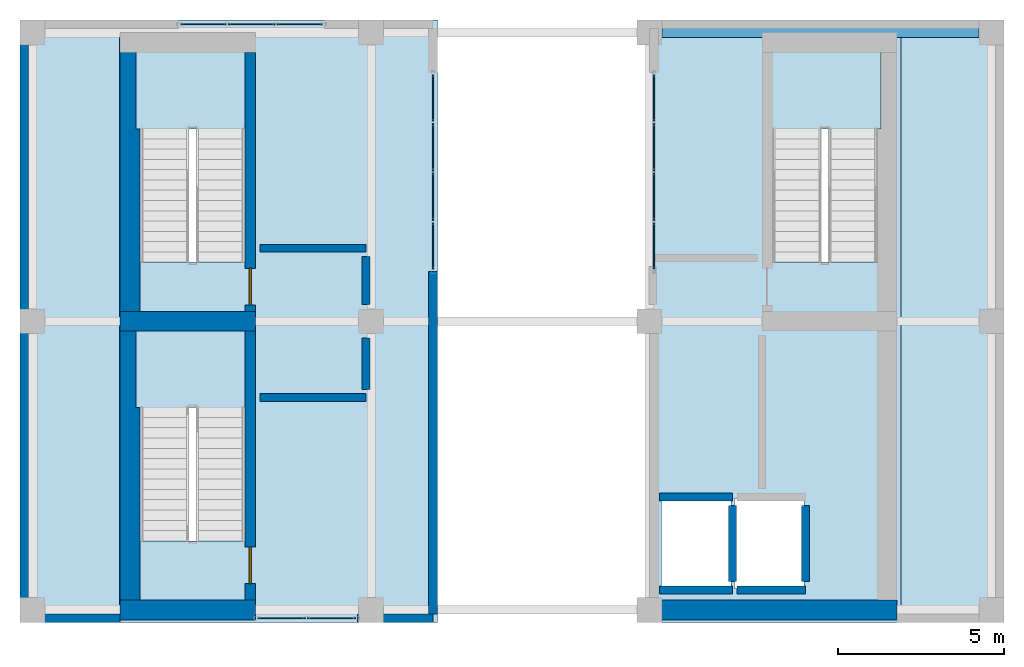
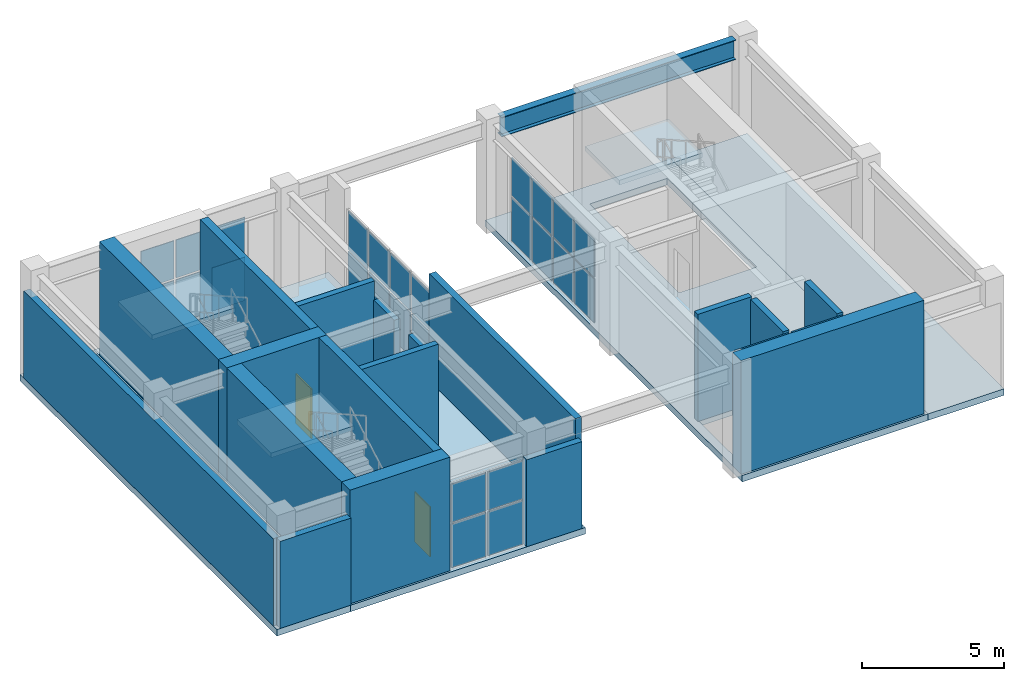
# One storey, part 9 of 11: 26 plates, 19 walls, 7 slabs, 2 doors, 1 beam, 2 openings, 7 elements without a shape of their own.
"""IFC4 building model written with IfcOpenShell, lengths in metres."""

from ifc_helpers import new_model, si_unit, direction, frame, frame_2d, origin, origin_2d, place, context, subcontext, project, spatial, polyline, rectangle, i_section, outline, extrude, material, layer, layer_set, material_profile, profile_set, type_object, element, fill, aggregate, save


model = new_model("IFC4")

# Units and contexts
model_context = context("Model", 3, precision=1e-05, world=origin(), true_north=direction((0.0, 1.0)))
body_context = subcontext(model_context, "Body", "Model", "MODEL_VIEW")
ifc_project = project(units=[si_unit("LENGTHUNIT", "METRE"), si_unit("AREAUNIT", "SQUARE_METRE"), si_unit("VOLUMEUNIT", "CUBIC_METRE"), si_unit("PLANEANGLEUNIT", "RADIAN"), si_unit("MASSUNIT", "GRAM", prefix="KILO")], contexts=[model_context])

# Site, building, storey
site_placement = place(None, origin())
site = spatial("IfcSite", under=ifc_project, at=site_placement, CompositionType="ELEMENT")
building_placement = place(site_placement, origin())
building = spatial("IfcBuilding", under=site, at=building_placement, Name="Solanera Arch Residences", CompositionType="ELEMENT")
storey_placement = place(building_placement, frame((0.0, 0.0, 287.8798828125)))
storey = spatial("IfcBuildingStorey", under=building, at=storey_placement, Name="L82", CompositionType="ELEMENT", Elevation=287.8798828125)

# Beam
ifc_material_1 = material(Name="Steel S355 (ASTM A992 / A572 Grade 50)", Category="steel")
ifc_material_profile = material_profile(ifc_material_1, i_section(OverallWidth=0.2939453125, OverallDepth=0.85107421875, WebThickness=0.01611328125, FlangeThickness=0.02685546875, at=origin_2d()))
ifc_profile_set = profile_set([ifc_material_profile], Name="Steel S355 (ASTM A992 / A572 Grade 50)")
beam_type = type_object("IfcBeamType", Name="Primary Beam W840X226", PredefinedType="BEAM", material=ifc_profile_set)
beam_placement = place(storey_placement, frame((29.574951171875, 39.39990234375, 4.195068359375), z_axis=(1.0, 0.0, 0.0), x_axis=(0.0, 1.0, 0.0)))
element("IfcBeam", 1, at=beam_placement, inside=storey, type_object=beam_type, Name="BM-L82-CR-EN", PredefinedType="BEAM", context=body_context, shape_type="SweptSolid", body=[
    extrude(i_section(OverallWidth=0.2939453125, OverallDepth=0.85107421875, WebThickness=0.01611328125, FlangeThickness=0.02685546875, at=origin_2d()), origin(), (0.0, 0.0, 1.0), 9.550048828125),
])

# Curtain wall, plates
ifc_material_2 = material(Name="Anodised Aluminium Alloy 6063-T6", Category="aluminium")
ifc_layer_1 = layer(ifc_material_2, 0.199951171875)
ifc_layer_set_1 = layer_set([ifc_layer_1], Name="Anodised Aluminium Alloy 6063-T6")
curtain_wall_type_1 = type_object("IfcCurtainWallType", Name="CW-5 Observatory High-Wind Curtain Wall", PredefinedType="USERDEFINED", material=ifc_layer_set_1)
curtain_wall_1_placement = place(storey_placement, origin())
curtain_wall_1 = element("IfcCurtainWall", 2, at=curtain_wall_1_placement, inside=storey, type_object=curtain_wall_type_1, Name="L82 Crown South Observatory Curtain Wall", ObjectType="CURTAIN_WALL", PredefinedType="USERDEFINED")
ifc_material_3 = material(Name="Double Glazed Low-E Laminated Glass", Category="glass")
ifc_layer_2 = layer(ifc_material_3, 0.035888671875)
ifc_layer_set_2 = layer_set([ifc_layer_2], Name="Double Glazed Low-E Laminated Glass")
plate_type = type_object("IfcPlateType", Name="Low-Iron Observatory Panel GL-36", PredefinedType="CURTAIN_PANEL", material=ifc_layer_set_2)
plate_1_placement = place(storey_placement, frame((19.610107421875, 21.75, 0.080078125), z_axis=(0.0, 0.0, 1.0), x_axis=(-1.0, 0.0, 0.0)))
plate_1 = element("IfcPlate", 3, at=plate_1_placement, type_object=plate_type, Name="CW-5 panel 1.1", PredefinedType="CURTAIN_PANEL", context=body_context, shape_type="SweptSolid", body=[
    extrude(rectangle(XDim=1.419921875, YDim=0.035888671875, at=origin_2d()), origin(), (0.0, 0.0, 1.0), 1.8798828125),
])
plate_2_placement = place(storey_placement, frame((19.610107421875, 21.75, 2.0400390625), z_axis=(0.0, 0.0, 1.0), x_axis=(-1.0, 0.0, 0.0)))
plate_2 = element("IfcPlate", 4, at=plate_2_placement, type_object=plate_type, Name="CW-5 panel 1.2", PredefinedType="CURTAIN_PANEL", context=body_context, shape_type="SweptSolid", body=[
    extrude(rectangle(XDim=1.419921875, YDim=0.035888671875, at=origin_2d()), origin(), (0.0, 0.0, 1.0), 1.639892578125),
])
plate_3_placement = place(storey_placement, frame((18.110107421875, 21.75, 0.080078125), z_axis=(0.0, 0.0, 1.0), x_axis=(-1.0, 0.0, 0.0)))
plate_3 = element("IfcPlate", 5, at=plate_3_placement, type_object=plate_type, Name="CW-5 panel 2.1", PredefinedType="CURTAIN_PANEL", context=body_context, shape_type="SweptSolid", body=[
    extrude(rectangle(XDim=1.419921875, YDim=0.035888671875, at=origin_2d()), origin(), (0.0, 0.0, 1.0), 1.8798828125),
])
plate_4_placement = place(storey_placement, frame((18.110107421875, 21.75, 2.0400390625), z_axis=(0.0, 0.0, 1.0), x_axis=(-1.0, 0.0, 0.0)))
plate_4 = element("IfcPlate", 6, at=plate_4_placement, type_object=plate_type, Name="CW-5 panel 2.2", PredefinedType="CURTAIN_PANEL", context=body_context, shape_type="SweptSolid", body=[
    extrude(rectangle(XDim=1.419921875, YDim=0.035888671875, at=origin_2d()), origin(), (0.0, 0.0, 1.0), 1.639892578125),
])
aggregate(curtain_wall_1, [plate_1, plate_2, plate_3, plate_4])

curtain_wall_2_placement = place(storey_placement, origin())
curtain_wall_2 = element("IfcCurtainWall", 7, at=curtain_wall_2_placement, inside=storey, type_object=curtain_wall_type_1, Name="L82 Crown North Observatory Curtain Wall", ObjectType="CURTAIN_WALL", PredefinedType="USERDEFINED")
plate_5_placement = place(storey_placement, frame((15.75341796875, 39.64990234375, 0.080078125), z_axis=(0.0, 0.0, 1.0), x_axis=(1.0, 0.0, 0.0)))
plate_5 = element("IfcPlate", 8, at=plate_5_placement, type_object=plate_type, Name="CW-5 panel 1.1", PredefinedType="CURTAIN_PANEL", context=body_context, shape_type="SweptSolid", body=[
    extrude(rectangle(XDim=1.3466796875, YDim=0.035888671875, at=origin_2d()), origin(), (0.0, 0.0, 1.0), 1.8798828125),
])
plate_6_placement = place(storey_placement, frame((15.75341796875, 39.64990234375, 2.0400390625), z_axis=(0.0, 0.0, 1.0), x_axis=(1.0, 0.0, 0.0)))
plate_6 = element("IfcPlate", 9, at=plate_6_placement, type_object=plate_type, Name="CW-5 panel 1.2", PredefinedType="CURTAIN_PANEL", context=body_context, shape_type="SweptSolid", body=[
    extrude(rectangle(XDim=1.3466796875, YDim=0.035888671875, at=origin_2d()), origin(), (0.0, 0.0, 1.0), 1.639892578125),
])
plate_7_placement = place(storey_placement, frame((17.199951171875, 39.64990234375, 0.080078125), z_axis=(0.0, 0.0, 1.0), x_axis=(1.0, 0.0, 0.0)))
plate_7 = element("IfcPlate", 10, at=plate_7_placement, type_object=plate_type, Name="CW-5 panel 2.1", PredefinedType="CURTAIN_PANEL", context=body_context, shape_type="SweptSolid", body=[
    extrude(rectangle(XDim=1.38671875, YDim=0.035888671875, at=origin_2d()), origin(), (0.0, 0.0, 1.0), 1.8798828125),
])
plate_8_placement = place(storey_placement, frame((17.199951171875, 39.64990234375, 2.0400390625), z_axis=(0.0, 0.0, 1.0), x_axis=(1.0, 0.0, 0.0)))
plate_8 = element("IfcPlate", 11, at=plate_8_placement, type_object=plate_type, Name="CW-5 panel 2.2", PredefinedType="CURTAIN_PANEL", context=body_context, shape_type="SweptSolid", body=[
    extrude(rectangle(XDim=1.38671875, YDim=0.035888671875, at=origin_2d()), origin(), (0.0, 0.0, 1.0), 1.639892578125),
])
plate_9_placement = place(storey_placement, frame((18.646728515625, 39.64990234375, 0.080078125), z_axis=(0.0, 0.0, 1.0), x_axis=(1.0, 0.0, 0.0)))
plate_9 = element("IfcPlate", 12, at=plate_9_placement, type_object=plate_type, Name="CW-5 panel 3.1", PredefinedType="CURTAIN_PANEL", context=body_context, shape_type="SweptSolid", body=[
    extrude(rectangle(XDim=1.3466796875, YDim=0.035888671875, at=origin_2d()), origin(), (0.0, 0.0, 1.0), 1.8798828125),
])
plate_10_placement = place(storey_placement, frame((18.646728515625, 39.64990234375, 2.0400390625), z_axis=(0.0, 0.0, 1.0), x_axis=(1.0, 0.0, 0.0)))
plate_10 = element("IfcPlate", 13, at=plate_10_placement, type_object=plate_type, Name="CW-5 panel 3.2", PredefinedType="CURTAIN_PANEL", context=body_context, shape_type="SweptSolid", body=[
    extrude(rectangle(XDim=1.3466796875, YDim=0.035888671875, at=origin_2d()), origin(), (0.0, 0.0, 1.0), 1.639892578125),
])
aggregate(curtain_wall_2, [plate_5, plate_6, plate_7, plate_8, plate_9, plate_10])

ifc_material_4 = material(Name="Anodised Aluminium Alloy 6063-T6", Category="aluminium")
ifc_layer_3 = layer(ifc_material_4, 0.179931640625)
ifc_layer_set_3 = layer_set([ifc_layer_3], Name="Anodised Aluminium Alloy 6063-T6")
curtain_wall_type_2 = type_object("IfcCurtainWallType", Name="CW-6 Split-Top Crown Lantern Curtain Wall", PredefinedType="USERDEFINED", material=ifc_layer_set_3)
curtain_wall_3_placement = place(storey_placement, origin())
curtain_wall_3 = element("IfcCurtainWall", 14, at=curtain_wall_3_placement, inside=storey, type_object=curtain_wall_type_2, Name="L82 W Crown Cleft Lantern Curtain Wall", ObjectType="CURTAIN_WALL", PredefinedType="USERDEFINED")
plate_11_placement = place(storey_placement, frame((22.669921875, 32.969970703125, 0.080078125), z_axis=(0.0, 0.0, 1.0), x_axis=(0.0, 1.0, 0.0)))
plate_11 = element("IfcPlate", 15, at=plate_11_placement, type_object=plate_type, Name="CW-6 panel 1.1", PredefinedType="CURTAIN_PANEL", context=body_context, shape_type="SweptSolid", body=[
    extrude(rectangle(XDim=1.3798828125, YDim=0.035888671875, at=origin_2d()), origin(), (0.0, 0.0, 1.0), 1.8798828125),
])
plate_12_placement = place(storey_placement, frame((22.669921875, 32.969970703125, 2.0400390625), z_axis=(0.0, 0.0, 1.0), x_axis=(0.0, 1.0, 0.0)))
plate_12 = element("IfcPlate", 16, at=plate_12_placement, type_object=plate_type, Name="CW-6 panel 1.2", PredefinedType="CURTAIN_PANEL", context=body_context, shape_type="SweptSolid", body=[
    extrude(rectangle(XDim=1.3798828125, YDim=0.035888671875, at=origin_2d()), origin(), (0.0, 0.0, 1.0), 1.639892578125),
])
plate_13_placement = place(storey_placement, frame((22.669921875, 34.449951171875, 0.080078125), z_axis=(0.0, 0.0, 1.0), x_axis=(0.0, 1.0, 0.0)))
plate_13 = element("IfcPlate", 17, at=plate_13_placement, type_object=plate_type, Name="CW-6 panel 2.1", PredefinedType="CURTAIN_PANEL", context=body_context, shape_type="SweptSolid", body=[
    extrude(rectangle(XDim=1.419921875, YDim=0.035888671875, at=origin_2d()), origin(), (0.0, 0.0, 1.0), 1.8798828125),
])
plate_14_placement = place(storey_placement, frame((22.669921875, 34.449951171875, 2.0400390625), z_axis=(0.0, 0.0, 1.0), x_axis=(0.0, 1.0, 0.0)))
plate_14 = element("IfcPlate", 18, at=plate_14_placement, type_object=plate_type, Name="CW-6 panel 2.2", PredefinedType="CURTAIN_PANEL", context=body_context, shape_type="SweptSolid", body=[
    extrude(rectangle(XDim=1.419921875, YDim=0.035888671875, at=origin_2d()), origin(), (0.0, 0.0, 1.0), 1.639892578125),
])
plate_15_placement = place(storey_placement, frame((22.669921875, 35.949951171875, 0.080078125), z_axis=(0.0, 0.0, 1.0), x_axis=(0.0, 1.0, 0.0)))
plate_15 = element("IfcPlate", 19, at=plate_15_placement, type_object=plate_type, Name="CW-6 panel 3.1", PredefinedType="CURTAIN_PANEL", context=body_context, shape_type="SweptSolid", body=[
    extrude(rectangle(XDim=1.419921875, YDim=0.035888671875, at=origin_2d()), origin(), (0.0, 0.0, 1.0), 1.8798828125),
])
plate_16_placement = place(storey_placement, frame((22.669921875, 35.949951171875, 2.0400390625), z_axis=(0.0, 0.0, 1.0), x_axis=(0.0, 1.0, 0.0)))
plate_16 = element("IfcPlate", 20, at=plate_16_placement, type_object=plate_type, Name="CW-6 panel 3.2", PredefinedType="CURTAIN_PANEL", context=body_context, shape_type="SweptSolid", body=[
    extrude(rectangle(XDim=1.419921875, YDim=0.035888671875, at=origin_2d()), origin(), (0.0, 0.0, 1.0), 1.639892578125),
])
plate_17_placement = place(storey_placement, frame((22.669921875, 37.429931640625, 0.080078125), z_axis=(0.0, 0.0, 1.0), x_axis=(0.0, 1.0, 0.0)))
plate_17 = element("IfcPlate", 21, at=plate_17_placement, type_object=plate_type, Name="CW-6 panel 4.1", PredefinedType="CURTAIN_PANEL", context=body_context, shape_type="SweptSolid", body=[
    extrude(rectangle(XDim=1.3798828125, YDim=0.035888671875, at=origin_2d()), origin(), (0.0, 0.0, 1.0), 1.8798828125),
])
plate_18_placement = place(storey_placement, frame((22.669921875, 37.429931640625, 2.0400390625), z_axis=(0.0, 0.0, 1.0), x_axis=(0.0, 1.0, 0.0)))
plate_18 = element("IfcPlate", 22, at=plate_18_placement, type_object=plate_type, Name="CW-6 panel 4.2", PredefinedType="CURTAIN_PANEL", context=body_context, shape_type="SweptSolid", body=[
    extrude(rectangle(XDim=1.3798828125, YDim=0.035888671875, at=origin_2d()), origin(), (0.0, 0.0, 1.0), 1.639892578125),
])
aggregate(curtain_wall_3, [plate_11, plate_12, plate_13, plate_14, plate_15, plate_16, plate_17, plate_18])

curtain_wall_4_placement = place(storey_placement, origin())
curtain_wall_4 = element("IfcCurtainWall", 23, at=curtain_wall_4_placement, inside=storey, type_object=curtain_wall_type_2, Name="L82 E Crown Cleft Lantern Curtain Wall", ObjectType="CURTAIN_WALL", PredefinedType="USERDEFINED")
plate_19_placement = place(storey_placement, frame((29.330078125, 32.969970703125, 0.080078125), z_axis=(0.0, 0.0, 1.0), x_axis=(0.0, 1.0, 0.0)))
plate_19 = element("IfcPlate", 24, at=plate_19_placement, type_object=plate_type, Name="CW-6 panel 1.1", PredefinedType="CURTAIN_PANEL", context=body_context, shape_type="SweptSolid", body=[
    extrude(rectangle(XDim=1.3798828125, YDim=0.035888671875, at=origin_2d()), origin(), (0.0, 0.0, 1.0), 1.8798828125),
])
plate_20_placement = place(storey_placement, frame((29.330078125, 32.969970703125, 2.0400390625), z_axis=(0.0, 0.0, 1.0), x_axis=(0.0, 1.0, 0.0)))
plate_20 = element("IfcPlate", 25, at=plate_20_placement, type_object=plate_type, Name="CW-6 panel 1.2", PredefinedType="CURTAIN_PANEL", context=body_context, shape_type="SweptSolid", body=[
    extrude(rectangle(XDim=1.3798828125, YDim=0.035888671875, at=origin_2d()), origin(), (0.0, 0.0, 1.0), 1.639892578125),
])
plate_21_placement = place(storey_placement, frame((29.330078125, 34.449951171875, 0.080078125), z_axis=(0.0, 0.0, 1.0), x_axis=(0.0, 1.0, 0.0)))
plate_21 = element("IfcPlate", 26, at=plate_21_placement, type_object=plate_type, Name="CW-6 panel 2.1", PredefinedType="CURTAIN_PANEL", context=body_context, shape_type="SweptSolid", body=[
    extrude(rectangle(XDim=1.419921875, YDim=0.035888671875, at=origin_2d()), origin(), (0.0, 0.0, 1.0), 1.8798828125),
])
plate_22_placement = place(storey_placement, frame((29.330078125, 34.449951171875, 2.0400390625), z_axis=(0.0, 0.0, 1.0), x_axis=(0.0, 1.0, 0.0)))
plate_22 = element("IfcPlate", 27, at=plate_22_placement, type_object=plate_type, Name="CW-6 panel 2.2", PredefinedType="CURTAIN_PANEL", context=body_context, shape_type="SweptSolid", body=[
    extrude(rectangle(XDim=1.419921875, YDim=0.035888671875, at=origin_2d()), origin(), (0.0, 0.0, 1.0), 1.639892578125),
])
plate_23_placement = place(storey_placement, frame((29.330078125, 35.949951171875, 0.080078125), z_axis=(0.0, 0.0, 1.0), x_axis=(0.0, 1.0, 0.0)))
plate_23 = element("IfcPlate", 28, at=plate_23_placement, type_object=plate_type, Name="CW-6 panel 3.1", PredefinedType="CURTAIN_PANEL", context=body_context, shape_type="SweptSolid", body=[
    extrude(rectangle(XDim=1.419921875, YDim=0.035888671875, at=origin_2d()), origin(), (0.0, 0.0, 1.0), 1.8798828125),
])
plate_24_placement = place(storey_placement, frame((29.330078125, 35.949951171875, 2.0400390625), z_axis=(0.0, 0.0, 1.0), x_axis=(0.0, 1.0, 0.0)))
plate_24 = element("IfcPlate", 29, at=plate_24_placement, type_object=plate_type, Name="CW-6 panel 3.2", PredefinedType="CURTAIN_PANEL", context=body_context, shape_type="SweptSolid", body=[
    extrude(rectangle(XDim=1.419921875, YDim=0.035888671875, at=origin_2d()), origin(), (0.0, 0.0, 1.0), 1.639892578125),
])
plate_25_placement = place(storey_placement, frame((29.330078125, 37.429931640625, 0.080078125), z_axis=(0.0, 0.0, 1.0), x_axis=(0.0, 1.0, 0.0)))
plate_25 = element("IfcPlate", 30, at=plate_25_placement, type_object=plate_type, Name="CW-6 panel 4.1", PredefinedType="CURTAIN_PANEL", context=body_context, shape_type="SweptSolid", body=[
    extrude(rectangle(XDim=1.3798828125, YDim=0.035888671875, at=origin_2d()), origin(), (0.0, 0.0, 1.0), 1.8798828125),
])
plate_26_placement = place(storey_placement, frame((29.330078125, 37.429931640625, 2.0400390625), z_axis=(0.0, 0.0, 1.0), x_axis=(0.0, 1.0, 0.0)))
plate_26 = element("IfcPlate", 31, at=plate_26_placement, type_object=plate_type, Name="CW-6 panel 4.2", PredefinedType="CURTAIN_PANEL", context=body_context, shape_type="SweptSolid", body=[
    extrude(rectangle(XDim=1.3798828125, YDim=0.035888671875, at=origin_2d()), origin(), (0.0, 0.0, 1.0), 1.639892578125),
])
aggregate(curtain_wall_4, [plate_19, plate_20, plate_21, plate_22, plate_23, plate_24, plate_25, plate_26])

# Slabs
ifc_material_5 = material(Name="Concrete C40/50 (f'c = 45 MPa)", Category="concrete")
ifc_layer_4 = layer(ifc_material_5, 0.239990234375)
ifc_layer_set_4 = layer_set([ifc_layer_4], Name="Concrete C40/50 (f'c = 45 MPa)")
slab_type_1 = type_object("IfcSlabType", Name="Roof Deck Slab 240", PredefinedType="ROOF", material=ifc_layer_set_4)
slab_1_placement = place(storey_placement, frame((0.0, 0.0, -0.27978515625)))
element("IfcSlab", 32, at=slab_1_placement, inside=storey, type_object=slab_type_1, Name="L82 Crown Peak Plenum Deck WO", PredefinedType="ROOF", context=body_context, shape_type="SweptSolid", body=[
    extrude(outline(polyline([(13.219970703125, 21.6201171875), (13.219970703125, 39.780029296875), (10.219970703125, 39.780029296875), (10.219970703125, 21.6201171875), (13.219970703125, 21.6201171875)])), origin(), (0.0, 0.0, 1.0), 0.27978515625),
])
slab_2_placement = place(storey_placement, frame((0.0, 0.0, -0.27978515625)))
element("IfcSlab", 33, at=slab_2_placement, inside=storey, type_object=slab_type_1, Name="L82 Crown Peak Plenum Deck EO", PredefinedType="ROOF", context=body_context, shape_type="SweptSolid", body=[
    extrude(outline(polyline([(39.8798828125, 21.6201171875), (39.8798828125, 39.780029296875), (36.780029296875, 39.780029296875), (36.780029296875, 21.6201171875), (39.8798828125, 21.6201171875)])), origin(), (0.0, 0.0, 1.0), 0.27978515625),
])

# Stair, slab
ifc_material_6 = material(Name="Concrete C40/50 (f'c = 45 MPa)", Category="concrete")
stair_type = type_object("IfcStairType", Name="Tower Dogleg Exit Stair 1480", PredefinedType="HALF_TURN_STAIR", material=ifc_material_6)
stair_1_placement = place(storey_placement, origin())
stair_1 = element("IfcStair", 34, at=stair_1_placement, inside=storey, type_object=stair_type, Name="L82 Tower Core Exit Stair 1", PredefinedType="HALF_TURN_STAIR")
ifc_material_7 = material(Name="Concrete C40/50 (f'c = 45 MPa)", Category="concrete")
ifc_layer_5 = layer(ifc_material_7, 0.199951171875)
ifc_layer_set_5 = layer_set([ifc_layer_5], Name="Concrete C40/50 (f'c = 45 MPa)")
slab_type_2 = type_object("IfcSlabType", Name="Stair Half-Landing Slab 200", PredefinedType="LANDING", material=ifc_layer_set_5)
slab_3_placement = place(storey_placement, frame((0.0, 0.0, 2.25)))
slab_3 = element("IfcSlab", 35, at=slab_3_placement, type_object=slab_type_2, Name="ST-T1 landing 1", PredefinedType="LANDING", context=body_context, shape_type="SweptSolid", body=[
    extrude(outline(polyline([(17.1201171875, 36.5), (17.1201171875, 38.919921875), (13.719970703125, 38.919921875), (13.719970703125, 36.5), (17.1201171875, 36.5)])), origin(), (0.0, 0.0, 1.0), 0.2001953125),
])
aggregate(stair_1, [slab_3])

stair_2_placement = place(storey_placement, origin())
stair_2 = element("IfcStair", 36, at=stair_2_placement, inside=storey, type_object=stair_type, Name="L82 Tower Core Exit Stair 2", PredefinedType="HALF_TURN_STAIR")
slab_4_placement = place(storey_placement, frame((0.0, 0.0, 2.25)))
slab_4 = element("IfcSlab", 37, at=slab_4_placement, type_object=slab_type_2, Name="ST-T2 landing 1", PredefinedType="LANDING", context=body_context, shape_type="SweptSolid", body=[
    extrude(outline(polyline([(36.179931640625, 36.5), (36.179931640625, 38.919921875), (32.780029296875, 38.919921875), (32.780029296875, 36.5), (36.179931640625, 36.5)])), origin(), (0.0, 0.0, 1.0), 0.2001953125),
])
aggregate(stair_2, [slab_4])

stair_3_placement = place(storey_placement, origin())
stair_3 = element("IfcStair", 38, at=stair_3_placement, inside=storey, type_object=stair_type, Name="L82 Tower Core Exit Stair 3", PredefinedType="HALF_TURN_STAIR")
slab_5_placement = place(storey_placement, frame((0.0, 0.0, 2.25)))
slab_5 = element("IfcSlab", 39, at=slab_5_placement, type_object=slab_type_2, Name="ST-T3 landing 1", PredefinedType="LANDING", context=body_context, shape_type="SweptSolid", body=[
    extrude(outline(polyline([(17.1201171875, 28.10009765625), (17.1201171875, 30.52001953125), (13.719970703125, 30.52001953125), (13.719970703125, 28.10009765625), (17.1201171875, 28.10009765625)])), origin(), (0.0, 0.0, 1.0), 0.2001953125),
])
aggregate(stair_3, [slab_5])

# Slabs
ifc_material_8 = material(Name="Concrete C40/50 (f'c = 45 MPa)", Category="concrete")
ifc_layer_6 = layer(ifc_material_8, 0.280029296875)
ifc_layer_set_6 = layer_set([ifc_layer_6], Name="Concrete C40/50 (f'c = 45 MPa)")
slab_type_3 = type_object("IfcSlabType", Name="Suspended Floor Slab Post-Tensioned 280", PredefinedType="FLOOR", material=ifc_layer_set_6)
slab_6_placement = place(storey_placement, frame((0.0, 0.0, -0.27978515625)))
element("IfcSlab", 40, at=slab_6_placement, inside=storey, type_object=slab_type_3, Name="L82 West Crown Core Landing Slab", PredefinedType="FLOOR", context=body_context, shape_type="SweptSolid", body=[
    extrude(outline(polyline([(22.800048828125, 21.6201171875), (22.800048828125, 39.780029296875), (13.199951171875, 39.780029296875), (13.199951171875, 21.6201171875), (22.800048828125, 21.6201171875)]), holes=[polyline([(13.840087890625, 32.48291015625), (13.840087890625, 38.800048828125), (17.0, 38.800048828125), (17.0, 32.48291015625), (13.840087890625, 32.48291015625)]), polyline([(13.840087890625, 24.0830078125), (13.840087890625, 30.39990234375), (17.0, 30.39990234375), (17.0, 24.0830078125), (13.840087890625, 24.0830078125)])]), origin(), (0.0, 0.0, 1.0), 0.27978515625),
])
slab_7_placement = place(storey_placement, frame((0.0, 0.0, -0.27978515625)))
element("IfcSlab", 41, at=slab_7_placement, inside=storey, type_object=slab_type_3, Name="L82 East Crown Core Landing Slab", PredefinedType="FLOOR", context=body_context, shape_type="SweptSolid", body=[
    extrude(outline(polyline([(36.800048828125, 21.6201171875), (36.800048828125, 39.780029296875), (29.199951171875, 39.780029296875), (29.199951171875, 21.6201171875), (36.800048828125, 21.6201171875)]), holes=[polyline([(32.89990234375, 32.48291015625), (32.89990234375, 38.800048828125), (36.06005859375, 38.800048828125), (36.06005859375, 32.48291015625), (32.89990234375, 32.48291015625)]), polyline([(29.550048828125, 25.35009765625), (31.64990234375, 25.35009765625), (31.64990234375, 22.64990234375), (29.550048828125, 22.64990234375), (29.550048828125, 25.35009765625)]), polyline([(31.75, 25.35009765625), (33.85009765625, 25.35009765625), (33.85009765625, 22.64990234375), (31.75, 22.64990234375), (31.75, 25.35009765625)])]), origin(), (0.0, 0.0, 1.0), 0.27978515625),
])

# Wall, opening, door
ifc_material_9 = material(Name="Concrete C40/50 (f'c = 45 MPa)", Category="concrete")
ifc_layer_7 = layer(ifc_material_9, 0.320068359375)
ifc_layer_set_7 = layer_set([ifc_layer_7], Name="Concrete C40/50 (f'c = 45 MPa)")
wall_type_1 = type_object("IfcWallType", Name="Core Shear Wall CW-320", PredefinedType="SHEAR", material=ifc_layer_set_7)
wall_1_placement = place(storey_placement, frame((17.159912109375, 31.0, 0.0), z_axis=(0.0, 0.0, 1.0), x_axis=(0.0, 1.0, 0.0)))
wall_1 = element("IfcWall", 42, at=wall_1_placement, inside=storey, type_object=wall_type_1, Name="L82 Stair ST-T1 East Shear Wall", PredefinedType="SHEAR", context=body_context, shape_type="SweptSolid", body=[
    extrude(rectangle(XDim=7.800048828125, YDim=0.320068359375, at=frame_2d((3.89990234375, 0.0))), origin(), (0.0, 0.0, 1.0), 4.900146484375),
])
opening_1_placement = place(wall_1_placement, frame((0.18994140625, 0.0, 0.0)))
opening_1 = element("IfcOpeningElement", 43, at=opening_1_placement, cuts=wall_1, Name="Opening DF-01", PredefinedType="OPENING", context=body_context, shape_type="SweptSolid", body=[
    extrude(rectangle(XDim=1.10009765625, YDim=2.14990234375, at=frame_2d((0.550048828125, 1.074951171875))), frame((0.0, 0.169921875, 0.0), z_axis=(0.0, -1.0, 0.0), x_axis=(1.0, 0.0, 0.0)), (0.0, 0.0, 1.0), 0.3401),
])
ifc_material_10 = material(Name="Fire-Rated Architectural Hardwood", Category="wood")
door_type = type_object("IfcDoorType", Name="Stair Exit Fire Door DF-01", OperationType="NOTDEFINED", PredefinedType="DOOR", material=ifc_material_10)
door_1_placement = place(opening_1_placement, origin())
door_1 = element("IfcDoor", 44, at=door_1_placement, inside=storey, type_object=door_type, Name="DR-L82-STAIR-ST-T1", OperationType="SINGLE_SWING_RIGHT", OverallHeight=2.14990234375, OverallWidth=1.10009765625, PredefinedType="DOOR", context=body_context, shape_type="SweptSolid", body=[
    extrude(rectangle(XDim=1.10009765625, YDim=2.14990234375, at=frame_2d((0.550048828125, 1.074951171875))), frame((0.0, 0.02490234375, 0.0), z_axis=(0.0, -1.0, 0.0), x_axis=(1.0, 0.0, 0.0)), (0.0, 0.0, 1.0), 0.050048828125),
])
fill(opening_1, door_1)

wall_2_placement = place(storey_placement, frame((17.159912109375, 22.300048828125, 0.0), z_axis=(0.0, 0.0, 1.0), x_axis=(0.0, 1.0, 0.0)))
wall_2 = element("IfcWall", 45, at=wall_2_placement, inside=storey, type_object=wall_type_1, Name="L82 Stair ST-T3 East Shear Wall", PredefinedType="SHEAR", context=body_context, shape_type="SweptSolid", body=[
    extrude(rectangle(XDim=8.099853515625, YDim=0.320068359375, at=frame_2d((4.0498046875, 0.0))), origin(), (0.0, 0.0, 1.0), 4.900146484375),
])
opening_2_placement = place(wall_2_placement, frame((0.489990234375, 0.0, 0.0)))
opening_2 = element("IfcOpeningElement", 46, at=opening_2_placement, cuts=wall_2, Name="Opening DF-01", PredefinedType="OPENING", context=body_context, shape_type="SweptSolid", body=[
    extrude(rectangle(XDim=1.10009765625, YDim=2.14990234375, at=frame_2d((0.550048828125, 1.074951171875))), frame((0.0, 0.169921875, 0.0), z_axis=(0.0, -1.0, 0.0), x_axis=(1.0, 0.0, 0.0)), (0.0, 0.0, 1.0), 0.3401),
])
door_2_placement = place(opening_2_placement, origin())
door_2 = element("IfcDoor", 47, at=door_2_placement, inside=storey, type_object=door_type, Name="DR-L82-STAIR-ST-T3", OperationType="SINGLE_SWING_RIGHT", OverallHeight=2.14990234375, OverallWidth=1.10009765625, PredefinedType="DOOR", context=body_context, shape_type="SweptSolid", body=[
    extrude(rectangle(XDim=1.10009765625, YDim=2.14990234375, at=frame_2d((0.550048828125, 1.074951171875))), frame((0.0, 0.02490234375, 0.0), z_axis=(0.0, -1.0, 0.0), x_axis=(1.0, 0.0, 0.0)), (0.0, 0.0, 1.0), 0.050048828125),
])
fill(opening_2, door_2)

# Walls
ifc_material_11 = material(Name="Concrete C40/50 (f'c = 45 MPa)", Category="concrete")
ifc_layer_8 = layer(ifc_material_11, 0.60009765625)
ifc_layer_set_8 = layer_set([ifc_layer_8], Name="Concrete C40/50 (f'c = 45 MPa)")
wall_type_2 = type_object("IfcWallType", Name="Core Shear Wall CW-600", PredefinedType="SHEAR", material=ifc_layer_set_8)
wall_3_placement = place(storey_placement, frame((13.5400390625, 22.0, 0.0), z_axis=(0.0, 0.0, 1.0), x_axis=(0.0, 1.0, 0.0)))
element("IfcWall", 48, at=wall_3_placement, inside=storey, type_object=wall_type_2, Name="L82 West Core Shear Wall", PredefinedType="SHEAR", context=body_context, shape_type="SweptSolid", body=[
    extrude(rectangle(XDim=17.39990234375, YDim=0.60009765625, at=frame_2d((8.699951171875, 0.0))), origin(), (0.0, 0.0, 1.0), 4.900146484375),
])
for number, where, z_axis, x_axis, name in (
    (49, (13.239990234375, 22.0, 0.0), (0.0, 0.0, 1.0), (1.0, 0.0, 0.0), "L82 South-West Core Shear Wall"),
    (50, (13.239990234375, 30.699951171875, 0.0), (0.0, 0.0, 1.0), (1.0, 0.0, 0.0), "L82 West Stair Divider Shear Wall"),
):
    element("IfcWall", number, at=place(storey_placement, frame(where, z_axis=z_axis, x_axis=x_axis)), inside=storey, type_object=wall_type_2, Name=name, PredefinedType="SHEAR", context=body_context, shape_type="SweptSolid", body=[
        extrude(rectangle(XDim=4.080078125, YDim=0.60009765625, at=frame_2d((2.0400390625, 0.0))), origin(), (0.0, 0.0, 1.0), 4.900146484375),
    ])
wall_4_placement = place(storey_placement, frame((29.199951171875, 22.0, 0.0), z_axis=(0.0, 0.0, 1.0), x_axis=(1.0, 0.0, 0.0)))
element("IfcWall", 51, at=wall_4_placement, inside=storey, type_object=wall_type_2, Name="L82 South-East Core Shear Wall", PredefinedType="SHEAR", context=body_context, shape_type="SweptSolid", body=[
    extrude(rectangle(XDim=7.4599609375, YDim=0.60009765625, at=frame_2d((3.72998046875, 0.0))), origin(), (0.0, 0.0, 1.0), 4.900146484375),
])
ifc_material_12 = material(Name="Precast Concrete C35/45", Category="concrete")
ifc_layer_9 = layer(ifc_material_12, 0.260009765625)
ifc_layer_set_9 = layer_set([ifc_layer_9], Name="Precast Concrete C35/45")
wall_type_3 = type_object("IfcWallType", Name="Exterior Wall Precast Masonry-Frame 260", PredefinedType="STANDARD", material=ifc_layer_set_9)
wall_5_placement = place(storey_placement, frame((22.669921875, 21.75, 0.0), z_axis=(0.0, 0.0, 1.0), x_axis=(-1.0, 0.0, 0.0)))
element("IfcWall", 52, at=wall_5_placement, inside=storey, type_object=wall_type_3, Name="L82 W Crown South Pier 1", PredefinedType="STANDARD", context=body_context, shape_type="SweptSolid", body=[
    extrude(rectangle(XDim=2.27001953125, YDim=0.260009765625, at=frame_2d((1.135009765625, 0.0))), origin(), (0.0, 0.0, 1.0), 3.754150390625),
])
wall_6_placement = place(storey_placement, frame((13.239990234375, 21.75, 0.0), z_axis=(0.0, 0.0, 1.0), x_axis=(-1.0, 0.0, 0.0)))
element("IfcWall", 53, at=wall_6_placement, inside=storey, type_object=wall_type_3, Name="L82 W Crown South Pier 2", PredefinedType="STANDARD", context=body_context, shape_type="SweptSolid", body=[
    extrude(rectangle(XDim=2.889892578125, YDim=0.260009765625, at=frame_2d((1.44482421875, 0.0))), origin(), (0.0, 0.0, 1.0), 3.754150390625),
])
wall_7_placement = place(storey_placement, frame((10.35009765625, 21.8798828125, 0.0), z_axis=(0.0, 0.0, 1.0), x_axis=(0.0, 1.0, 0.0)))
element("IfcWall", 54, at=wall_7_placement, inside=storey, type_object=wall_type_3, Name="L82 W Crown Peak Outer Precast Wall", PredefinedType="STANDARD", context=body_context, shape_type="SweptSolid", body=[
    extrude(rectangle(XDim=17.64013671875, YDim=0.260009765625, at=frame_2d((8.820068359375, 0.0))), origin(), (0.0, 0.0, 1.0), 3.754150390625),
])
wall_8_placement = place(storey_placement, frame((22.669921875, 21.8798828125, 0.0), z_axis=(0.0, 0.0, 1.0), x_axis=(0.0, 1.0, 0.0)))
element("IfcWall", 55, at=wall_8_placement, inside=storey, type_object=wall_type_3, Name="L82 W Cleft Cheek South Wall", PredefinedType="STANDARD", context=body_context, shape_type="SweptSolid", body=[
    extrude(rectangle(XDim=10.320068359375, YDim=0.260009765625, at=frame_2d((5.16015625, 0.0))), origin(), (0.0, 0.0, 1.0), 4.6201171875),
])
ifc_material_13 = material(Name="Autoclaved Aerated Concrete Blockwork", Category="masonry")
ifc_layer_10 = layer(ifc_material_13, 0.239990234375)
ifc_layer_set_10 = layer_set([ifc_layer_10], Name="Autoclaved Aerated Concrete Blockwork")
wall_type_4 = type_object("IfcWallType", Name="Shaft Wall Fire-Rated 240", PredefinedType="PARTITIONING", material=ifc_layer_set_10)
for number, where, z_axis, x_axis, name in (
    (56, (29.5, 22.60009765625, 0.0), (0.0, 0.0, 1.0), (1.0, 0.0, 0.0), "L82 Lift FFL-1 Hoistway Wall S"),
    (57, (29.5, 25.39990234375, 0.0), (0.0, 0.0, 1.0), (1.0, 0.0, 0.0), "L82 Lift FFL-1 Hoistway Wall N"),
):
    element("IfcWall", number, at=place(storey_placement, frame(where, z_axis=z_axis, x_axis=x_axis)), inside=storey, type_object=wall_type_4, Name=name, PredefinedType="PARTITIONING", context=body_context, shape_type="SweptSolid", body=[
        extrude(rectangle(XDim=2.199951171875, YDim=0.239990234375, at=frame_2d((1.10009765625, 0.0))), origin(), (0.0, 0.0, 1.0), 4.6201171875),
    ])
wall_9_placement = place(storey_placement, frame((31.699951171875, 22.847900390625, 0.0), z_axis=(0.0, 0.0, 1.0), x_axis=(0.0, 1.0, 0.0)))
element("IfcWall", 58, at=wall_9_placement, inside=storey, type_object=wall_type_4, Name="L82 Lift FFL-1 Hoistway Wall E", PredefinedType="PARTITIONING", context=body_context, shape_type="SweptSolid", body=[
    extrude(rectangle(XDim=2.30419921875, YDim=0.239990234375, at=frame_2d((1.152099609375, 0.0))), origin(), (0.0, 0.0, 1.0), 4.6201171875),
])
wall_10_placement = place(storey_placement, frame((31.827880859375, 22.60009765625, 0.0), z_axis=(0.0, 0.0, 1.0), x_axis=(1.0, 0.0, 0.0)))
element("IfcWall", 59, at=wall_10_placement, inside=storey, type_object=wall_type_4, Name="L82 Lift FFL-2 Hoistway Wall S", PredefinedType="PARTITIONING", context=body_context, shape_type="SweptSolid", body=[
    extrude(rectangle(XDim=2.072021484375, YDim=0.239990234375, at=frame_2d((1.0361328125, 0.0))), origin(), (0.0, 0.0, 1.0), 4.6201171875),
])
wall_11_placement = place(storey_placement, frame((33.89990234375, 22.847900390625, 0.0), z_axis=(0.0, 0.0, 1.0), x_axis=(0.0, 1.0, 0.0)))
element("IfcWall", 60, at=wall_11_placement, inside=storey, type_object=wall_type_4, Name="L82 Lift FFL-2 Hoistway Wall E", PredefinedType="PARTITIONING", context=body_context, shape_type="SweptSolid", body=[
    extrude(rectangle(XDim=2.30419921875, YDim=0.239990234375, at=frame_2d((1.152099609375, 0.0))), origin(), (0.0, 0.0, 1.0), 4.6201171875),
])
for number, where, z_axis, x_axis, name in (
    (61, (17.449951171875, 28.39990234375, 0.0), (0.0, 0.0, 1.0), (1.0, 0.0, 0.0), "L82 Interior Partition H2"),
    (62, (17.449951171875, 32.89990234375, 0.0), (0.0, 0.0, 1.0), (1.0, 0.0, 0.0), "L82 Interior Partition H4"),
):
    element("IfcWall", number, at=place(storey_placement, frame(where, z_axis=z_axis, x_axis=x_axis)), inside=storey, type_object=wall_type_4, Name=name, PredefinedType="PARTITIONING", context=body_context, shape_type="SweptSolid", body=[
        extrude(rectangle(XDim=3.199951171875, YDim=0.239990234375, at=frame_2d((1.60009765625, 0.0))), origin(), (0.0, 0.0, 1.0), 4.6201171875),
    ])
wall_12_placement = place(storey_placement, frame((20.64990234375, 28.64794921875, 0.0), z_axis=(0.0, 0.0, 1.0), x_axis=(0.0, 1.0, 0.0)))
element("IfcWall", 63, at=wall_12_placement, inside=storey, type_object=wall_type_4, Name="L82 Interior Partition V2 1", PredefinedType="PARTITIONING", context=body_context, shape_type="SweptSolid", body=[
    extrude(rectangle(XDim=1.545166015625, YDim=0.239990234375, at=frame_2d((0.7724609375, 0.0))), origin(), (0.0, 0.0, 1.0), 3.912109375),
])
wall_13_placement = place(storey_placement, frame((20.64990234375, 31.20703125, 0.0), z_axis=(0.0, 0.0, 1.0), x_axis=(0.0, 1.0, 0.0)))
element("IfcWall", 64, at=wall_13_placement, inside=storey, type_object=wall_type_4, Name="L82 Interior Partition V2 2", PredefinedType="PARTITIONING", context=body_context, shape_type="SweptSolid", body=[
    extrude(rectangle(XDim=1.445068359375, YDim=0.239990234375, at=frame_2d((0.72265625, 0.0))), origin(), (0.0, 0.0, 1.0), 3.912109375),
])

save(model, "model.ifc")
